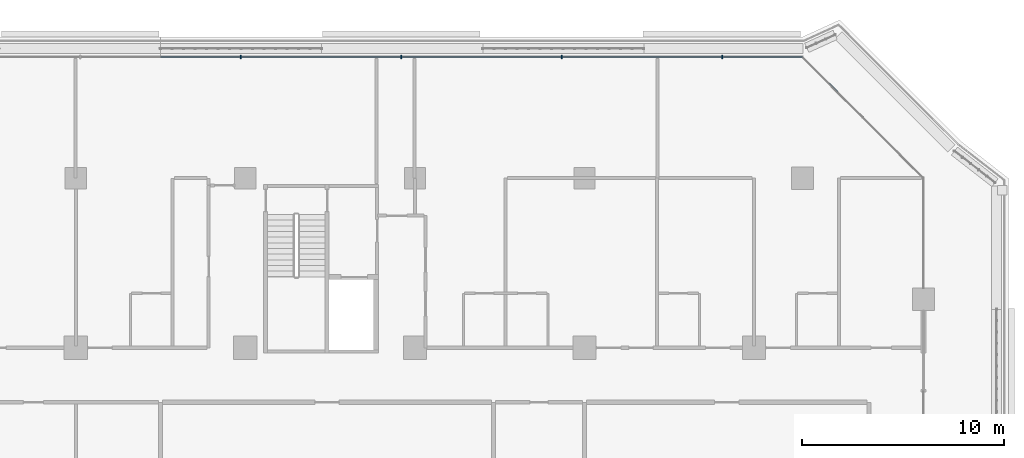
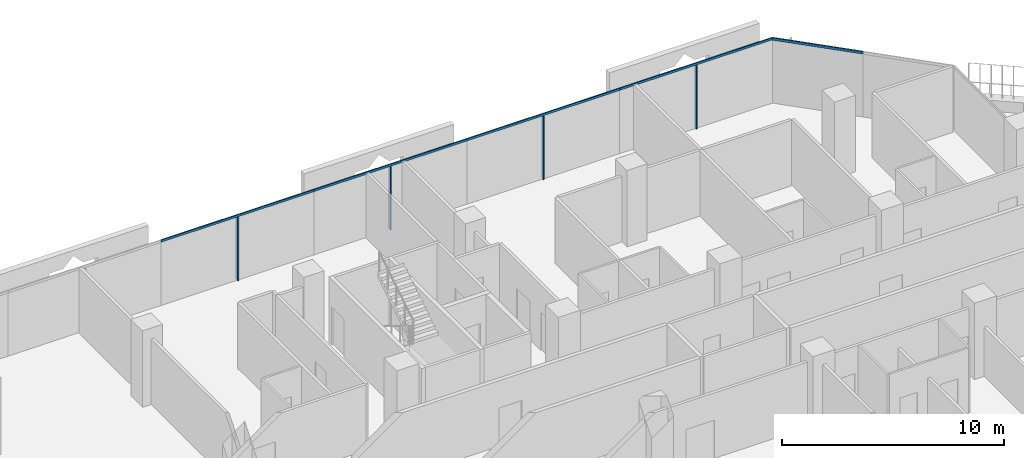
# One storey, part 9 of 25: 9 members, 2 elements without a shape of their own.
"""IFC4 building model written with IfcOpenShell, lengths in metres."""

import ifcopenshell
import ifcopenshell.guid

model = None  # the IFC model being written
_history = None  # IfcOwnerHistory: only IFC2X3 demands one
_inside = {}  # id of a spatial element -> (the spatial element, [elements in it])
_under = {}  # id of a project, library or spatial element -> (it, [spatial elements below it])
_declared = {}  # id of a project -> (the project, [libraries it declares])
_typed = {}  # id of a type object -> (the type object, [elements of that type])
_made_of = {}  # id of a material, layer set ... -> (it, [elements and type objects made of it])


def new_model(schema):
    """Start an empty IFC model of exactly this schema.

    Asked for "IFC4X3", IfcOpenShell would pick the latest addendum, in which some entities
    have other attributes; the version numbers below select the first issue.
    IFC2X3 requires an IfcOwnerHistory on every rooted entity: one is made here for all.
    """
    global model, _history
    if schema == "IFC4X3":
        model = ifcopenshell.file(schema_version=(4, 3, 0, 0))
    else:
        model = ifcopenshell.file(schema=schema)
    _inside.clear()
    _under.clear()
    _declared.clear()
    _typed.clear()
    _made_of.clear()
    _history = None
    if model.schema == "IFC2X3":
        org = make("IfcOrganization", Name="unknown")
        user = make(
            "IfcPersonAndOrganization",
            ThePerson=make("IfcPerson", FamilyName="unknown"),
            TheOrganization=org,
        )
        app = make(
            "IfcApplication",
            ApplicationDeveloper=org,
            Version="unknown",
            ApplicationFullName="unknown",
            ApplicationIdentifier="unknown",
        )
        _history = make(
            "IfcOwnerHistory",
            OwningUser=user,
            OwningApplication=app,
            ChangeAction="ADDED",
            CreationDate=0,
        )
    return model


def make(cls, **values):
    """One entity of the class cls with the attributes given. An attribute that is None is left unset."""
    return model.create_entity(
        cls, **{name: value for name, value in values.items() if value is not None}
    )


def rooted(cls, **values):
    """An entity with a GlobalId (a new one), such as an element, a storey or a relation."""
    return make(cls, GlobalId=ifcopenshell.guid.new(), OwnerHistory=_history, **values)


def si_unit(unit_type, name, prefix=None):
    """IfcSIUnit, for example si_unit("LENGTHUNIT", "METRE", prefix="MILLI")."""
    return make("IfcSIUnit", UnitType=unit_type, Prefix=prefix, Name=name)


def assignment(units):
    """IfcUnitAssignment: the units of a project."""
    return None if units is None else make("IfcUnitAssignment", Units=units)


def point(xyz):
    """IfcCartesianPoint."""
    return None if xyz is None else make("IfcCartesianPoint", Coordinates=xyz)


def direction(xyz):
    """IfcDirection."""
    return None if xyz is None else make("IfcDirection", DirectionRatios=xyz)


def frame(location, z_axis=None, x_axis=None):
    """IfcAxis2Placement3D, a coordinate frame: its origin and axes. An axis left out is left unset."""
    return make(
        "IfcAxis2Placement3D",
        Location=point(location),
        Axis=direction(z_axis),
        RefDirection=direction(x_axis),
    )


def frame_2d(location, x_axis=None):
    """IfcAxis2Placement2D, a coordinate frame in the plane: its origin and x axis."""
    return make(
        "IfcAxis2Placement2D", Location=point(location), RefDirection=direction(x_axis)
    )


def origin():
    """The frame at (0, 0, 0) with its axes left unset."""
    return frame((0.0, 0.0, 0.0))


def origin_2d():
    """The frame at (0, 0) in the plane with its x axis left unset."""
    return frame_2d((0.0, 0.0))


def place(relative_to, where):
    """IfcLocalPlacement: puts the frame where relative to a parent placement (None: the world)."""
    return make(
        "IfcLocalPlacement", PlacementRelTo=relative_to, RelativePlacement=where
    )


def context(
    kind, dimensions, precision=None, world=None, true_north=None, identifier=None
):
    """IfcGeometricRepresentationContext, for example the 3D "Model" context."""
    return make(
        "IfcGeometricRepresentationContext",
        ContextIdentifier=identifier,
        ContextType=kind,
        CoordinateSpaceDimension=dimensions,
        Precision=precision,
        WorldCoordinateSystem=world,
        TrueNorth=true_north,
    )


def subcontext(parent, identifier, kind, view, scale=None):
    """IfcGeometricRepresentationSubContext, for example "Body" below "Model"."""
    return make(
        "IfcGeometricRepresentationSubContext",
        ContextIdentifier=identifier,
        ContextType=kind,
        ParentContext=parent,
        TargetScale=scale,
        TargetView=view,
    )


def project(units=None, contexts=None):
    """IfcProject with its units and contexts."""
    return rooted(
        "IfcProject",
        Name="project",
        RepresentationContexts=contexts,
        UnitsInContext=assignment(units),
    )


def spatial(cls, under=None, at=None, **own):
    """A site, building, storey or space (cls), placed at a placement, below another one or the project."""
    s = rooted(cls, ObjectPlacement=at, **own)
    if under is not None:
        _under.setdefault(under.id(), (under, []))[1].append(s)
    return s


def profile(cls, at=None, kind="AREA", **sizes):
    """A parametric profile (cls). Its sizes go by their IFC names, for example OverallWidth=200.0."""
    return make(cls, ProfileType=kind, Position=at, **sizes)


def rectangle(**sizes):
    """IfcRectangleProfileDef."""
    return profile("IfcRectangleProfileDef", **sizes)


def extrude(swept, where, along, depth):
    """IfcExtrudedAreaSolid: the profile swept, set in the frame where, extruded along a direction by depth."""
    return make(
        "IfcExtrudedAreaSolid",
        SweptArea=swept,
        Position=where,
        ExtrudedDirection=direction(along),
        Depth=depth,
    )


def shape(context_of_items, identifier, shape_type, items):
    """IfcShapeRepresentation: the items that make up one representation, for example the "Body"."""
    return make(
        "IfcShapeRepresentation",
        ContextOfItems=context_of_items,
        RepresentationIdentifier=identifier,
        RepresentationType=shape_type,
        Items=items,
    )


def material(Name=None, Category=None):
    """IfcMaterial."""
    return make("IfcMaterial", Name=Name, Category=Category)


def layer(
    of_material, thickness, ventilated=None, Name=None, Category=None, Priority=None
):
    """IfcMaterialLayer: one layer of a wall or slab, of a material (None: an air gap)."""
    return make(
        "IfcMaterialLayer",
        Material=of_material,
        LayerThickness=thickness,
        IsVentilated=ventilated,
        Name=Name,
        Category=Category,
        Priority=Priority,
    )


def layer_set(layers, Name=None):
    """IfcMaterialLayerSet."""
    return make("IfcMaterialLayerSet", MaterialLayers=layers, LayerSetName=Name)


def material_profile(
    of_material, cross_section, Name=None, Category=None, Priority=None
):
    """IfcMaterialProfile: a cross section and its material."""
    return make(
        "IfcMaterialProfile",
        Name=Name,
        Material=of_material,
        Profile=cross_section,
        Priority=Priority,
        Category=Category,
    )


def profile_set(profiles, Name=None, composite=None):
    """IfcMaterialProfileSet."""
    return make(
        "IfcMaterialProfileSet",
        Name=Name,
        MaterialProfiles=profiles,
        CompositeProfile=composite,
    )


def made_of(thing, what):
    """Note that an element or type object is made of a material, layer set ...; save() writes the relation."""
    if what is not None:
        _made_of.setdefault(what.id(), (what, []))[1].append(thing)
    return thing


def type_object(cls, material=None, **own):
    """A type object (cls), such as IfcWallType, which elements share."""
    return made_of(rooted(cls, **own), material)


def element(
    cls,
    number,
    at=None,
    inside=None,
    cuts=None,
    type_object=None,
    material=None,
    context=None,
    identifier="Body",
    shape_type=None,
    held_by="IfcProductDefinitionShape",
    body=None,
    shapes=None,
    **own,
):
    """One element of the class cls, such as IfcWall. Its Tag is "e" and its number.

    at: its placement. inside: the storey or other place that contains it. cuts: it is an
    opening in that element (IfcRelVoidsElement). A single representation is given by context,
    identifier, shape_type and body (its items); several are given by shapes. held_by: the class
    of the entity that holds the representations. save() writes the other relations.
    """
    e = rooted(cls, Tag="e%d" % number, ObjectPlacement=at, **own)
    if body is not None:
        shapes = [shape(context, identifier, shape_type, body)]
    if shapes is not None:
        e.Representation = make(held_by, Representations=shapes)
    if inside is not None:
        _inside.setdefault(inside.id(), (inside, []))[1].append(e)
    if cuts is not None:
        rooted(
            "IfcRelVoidsElement", RelatingBuildingElement=cuts, RelatedOpeningElement=e
        )
    if type_object is not None:
        _typed.setdefault(type_object.id(), (type_object, []))[1].append(e)
    return made_of(e, material)


def aggregate(whole, parts):
    """IfcRelAggregates: a whole, such as a stair, and the parts it consists of."""
    return rooted("IfcRelAggregates", RelatingObject=whole, RelatedObjects=parts)


def save(model, path):
    """Write the relations noted so far, then the file.

    IfcRelAggregates (storeys below a building ...), IfcRelContainedInSpatialStructure (elements
    in a storey), IfcRelDefinesByType, IfcRelAssociatesMaterial and IfcRelDeclares: one each for
    every whole, place, type object, material and project.
    """
    for whole, parts in _under.values():
        aggregate(whole, parts)
    for where, things in _inside.values():
        rooted(
            "IfcRelContainedInSpatialStructure",
            RelatedElements=things,
            RelatingStructure=where,
        )
    for kind, things in _typed.values():
        rooted("IfcRelDefinesByType", RelatedObjects=things, RelatingType=kind)
    for what, things in _made_of.values():
        rooted("IfcRelAssociatesMaterial", RelatedObjects=things, RelatingMaterial=what)
    for by, libraries in _declared.values():
        rooted("IfcRelDeclares", RelatingContext=by, RelatedDefinitions=libraries)
    model.write(path)


model = new_model("IFC4")

# Units and contexts
model_context = context("Model", 3, precision=1e-05, world=origin(), true_north=direction((0.0, 1.0)))
body_context = subcontext(model_context, "Body", "Model", "MODEL_VIEW")
ifc_project = project(units=[si_unit("LENGTHUNIT", "METRE"), si_unit("AREAUNIT", "SQUARE_METRE"), si_unit("VOLUMEUNIT", "CUBIC_METRE"), si_unit("PLANEANGLEUNIT", "RADIAN"), si_unit("MASSUNIT", "GRAM", prefix="KILO")], contexts=[model_context])

# Site, building, storey
site_placement = place(None, origin())
site = spatial("IfcSite", under=ifc_project, at=site_placement, CompositionType="ELEMENT")
building_placement = place(site_placement, origin())
building = spatial("IfcBuilding", under=site, at=building_placement, Name="Kawkab Arch Medical Tower", CompositionType="ELEMENT")
storey_placement = place(building_placement, frame((0.0, 0.0, 128.199951171875)))
storey = spatial("IfcBuildingStorey", under=building, at=storey_placement, Name="L29", CompositionType="ELEMENT", Elevation=128.199951171875)

# Curtain wall, members
ifc_material_1 = material(Name="Bronze anodised aluminium curtain wall frame", Category="aluminium")
ifc_layer_1 = layer(ifc_material_1, 0.159912109375)
ifc_layer_set_1 = layer_set([ifc_layer_1], Name="Bronze anodised aluminium curtain wall frame")
curtain_wall_type_1 = type_object("IfcCurtainWallType", Name="CW1 ward curtain wall", PredefinedType="NOTDEFINED", material=ifc_layer_set_1)
placement = place(storey_placement, origin())
curtain_wall_1 = element("IfcCurtainWall", 1, at=placement, inside=storey, type_object=curtain_wall_type_1, Name="CW1 Ward curtain wall R11", PredefinedType="NOTDEFINED")
ifc_material_2 = material(Name="Bronze anodised aluminium curtain wall frame", Category="aluminium")
ifc_material_profile_1 = material_profile(ifc_material_2, rectangle(XDim=0.179931640625, YDim=0.06005859375, at=origin_2d()), Name="AL 60x180")
ifc_profile_set_1 = profile_set([ifc_material_profile_1], Name="Bronze anodised aluminium curtain wall frame")
member_type_1 = type_object("IfcMemberType", Name="CW1 mullion 60 x 180", PredefinedType="MULLION", material=ifc_profile_set_1)
member_1_placement = place(storey_placement, frame((65.625, 6.0, 0.0), z_axis=(0.0, 0.0, 1.0), x_axis=(0.0, -1.0, 0.0)))
member_1 = element("IfcMember", 2, at=member_1_placement, type_object=member_type_1, Name="CW1 mullion 1.1", PredefinedType="MULLION", context=body_context, shape_type="SweptSolid", body=[
    extrude(rectangle(XDim=0.179931640625, YDim=0.06005859375, at=origin_2d()), origin(), (0.0, 0.0, 1.0), 3.47998046875),
])
member_2_placement = place(storey_placement, frame((57.675048828125, 6.0, 0.0), z_axis=(0.0, 0.0, 1.0), x_axis=(0.0, -1.0, 0.0)))
member_2 = element("IfcMember", 3, at=member_2_placement, type_object=member_type_1, Name="CW1 mullion 2.1", PredefinedType="MULLION", context=body_context, shape_type="SweptSolid", body=[
    extrude(rectangle(XDim=0.179931640625, YDim=0.06005859375, at=origin_2d()), origin(), (0.0, 0.0, 1.0), 3.47998046875),
])
member_3_placement = place(storey_placement, frame((49.72509765625, 6.0, 0.0), z_axis=(0.0, 0.0, 1.0), x_axis=(0.0, -1.0, 0.0)))
member_3 = element("IfcMember", 4, at=member_3_placement, type_object=member_type_1, Name="CW1 mullion 3.1", PredefinedType="MULLION", context=body_context, shape_type="SweptSolid", body=[
    extrude(rectangle(XDim=0.179931640625, YDim=0.06005859375, at=origin_2d()), origin(), (0.0, 0.0, 1.0), 3.47998046875),
])
member_4_placement = place(storey_placement, frame((41.77490234375, 6.0, 0.0), z_axis=(0.0, 0.0, 1.0), x_axis=(0.0, -1.0, 0.0)))
member_4 = element("IfcMember", 5, at=member_4_placement, type_object=member_type_1, Name="CW1 mullion 4.1", PredefinedType="MULLION", context=body_context, shape_type="SweptSolid", body=[
    extrude(rectangle(XDim=0.179931640625, YDim=0.06005859375, at=origin_2d()), origin(), (0.0, 0.0, 1.0), 3.47998046875),
])
ifc_material_3 = material(Name="Bronze anodised aluminium curtain wall frame", Category="aluminium")
ifc_material_profile_2 = material_profile(ifc_material_3, rectangle(XDim=0.06005859375, YDim=0.1201171875, at=origin_2d()), Name="AL 60x120")
ifc_profile_set_2 = profile_set([ifc_material_profile_2], Name="Bronze anodised aluminium curtain wall frame")
member_type_2 = type_object("IfcMemberType", Name="CW1 transom 120 x 60", PredefinedType="USERDEFINED", material=ifc_profile_set_2)
member_5_placement = place(storey_placement, frame((69.60009765625, 6.0, 3.5400390625), z_axis=(-1.0, 0.0, 0.0), x_axis=(0.0, -1.0, 0.0)))
member_5 = element("IfcMember", 6, at=member_5_placement, type_object=member_type_2, Name="CW1 transom 1", ObjectType="TRANSOM", PredefinedType="USERDEFINED", context=body_context, shape_type="SweptSolid", body=[
    extrude(rectangle(XDim=0.06005859375, YDim=0.1201171875, at=origin_2d()), origin(), (0.0, 0.0, 1.0), 7.9501953125),
])
member_6_placement = place(storey_placement, frame((61.64990234375, 6.0, 3.5400390625), z_axis=(-1.0, 0.0, 0.0), x_axis=(0.0, -1.0, 0.0)))
member_6 = element("IfcMember", 7, at=member_6_placement, type_object=member_type_2, Name="CW1 transom 2", ObjectType="TRANSOM", PredefinedType="USERDEFINED", context=body_context, shape_type="SweptSolid", body=[
    extrude(rectangle(XDim=0.06005859375, YDim=0.1201171875, at=origin_2d()), origin(), (0.0, 0.0, 1.0), 7.949951171875),
])
member_7_placement = place(storey_placement, frame((53.699951171875, 6.0, 3.5400390625), z_axis=(-1.0, 0.0, 0.0), x_axis=(0.0, -1.0, 0.0)))
member_7 = element("IfcMember", 8, at=member_7_placement, type_object=member_type_2, Name="CW1 transom 3", ObjectType="TRANSOM", PredefinedType="USERDEFINED", context=body_context, shape_type="SweptSolid", body=[
    extrude(rectangle(XDim=0.06005859375, YDim=0.1201171875, at=origin_2d()), origin(), (0.0, 0.0, 1.0), 7.949951171875),
])
member_8_placement = place(storey_placement, frame((45.75, 6.0, 3.5400390625), z_axis=(-1.0, 0.0, 0.0), x_axis=(0.0, -1.0, 0.0)))
member_8 = element("IfcMember", 9, at=member_8_placement, type_object=member_type_2, Name="CW1 transom 4", ObjectType="TRANSOM", PredefinedType="USERDEFINED", context=body_context, shape_type="SweptSolid", body=[
    extrude(rectangle(XDim=0.06005859375, YDim=0.1201171875, at=origin_2d()), origin(), (0.0, 0.0, 1.0), 7.949951171875),
])
aggregate(curtain_wall_1, [member_5, member_1, member_6, member_2, member_7, member_3, member_8, member_4])

# Curtain wall, member
ifc_material_4 = material(Name="Bronze anodised aluminium curtain wall frame", Category="aluminium")
ifc_layer_2 = layer(ifc_material_4, 0.159912109375)
ifc_layer_set_2 = layer_set([ifc_layer_2], Name="Bronze anodised aluminium curtain wall frame")
curtain_wall_type_2 = type_object("IfcCurtainWallType", Name="CW2 chamfer curtain wall", PredefinedType="NOTDEFINED", material=ifc_layer_set_2)
curtain_wall_2 = element("IfcCurtainWall", 10, at=placement, inside=storey, type_object=curtain_wall_type_2, Name="CW2 Chamfer curtain wall R10", PredefinedType="NOTDEFINED")
ifc_material_5 = material(Name="Bronze anodised aluminium curtain wall frame", Category="aluminium")
ifc_material_profile_3 = material_profile(ifc_material_5, rectangle(XDim=0.06005859375, YDim=0.139892578125, at=origin_2d()), Name="AL 60x140")
ifc_profile_set_3 = profile_set([ifc_material_profile_3], Name="Bronze anodised aluminium curtain wall frame")
member_type_3 = type_object("IfcMemberType", Name="CW2 transom 140 x 60", PredefinedType="USERDEFINED", material=ifc_profile_set_3)
member_9_placement = place(storey_placement, frame((72.60009765625, 3.0, 3.530029296875), z_axis=(-0.707106781187, 0.707106781187, 0.0), x_axis=(-0.707106781187, -0.707106781187, 0.0)))
member_9 = element("IfcMember", 11, at=member_9_placement, type_object=member_type_3, Name="CW2 transom 2", ObjectType="TRANSOM", PredefinedType="USERDEFINED", context=body_context, shape_type="SweptSolid", body=[
    extrude(rectangle(XDim=0.06005859375, YDim=0.139892578125, at=origin_2d()), origin(), (0.0, 0.0, 1.0), 4.24267578125),
])
aggregate(curtain_wall_2, [member_9])

save(model, "model.ifc")
